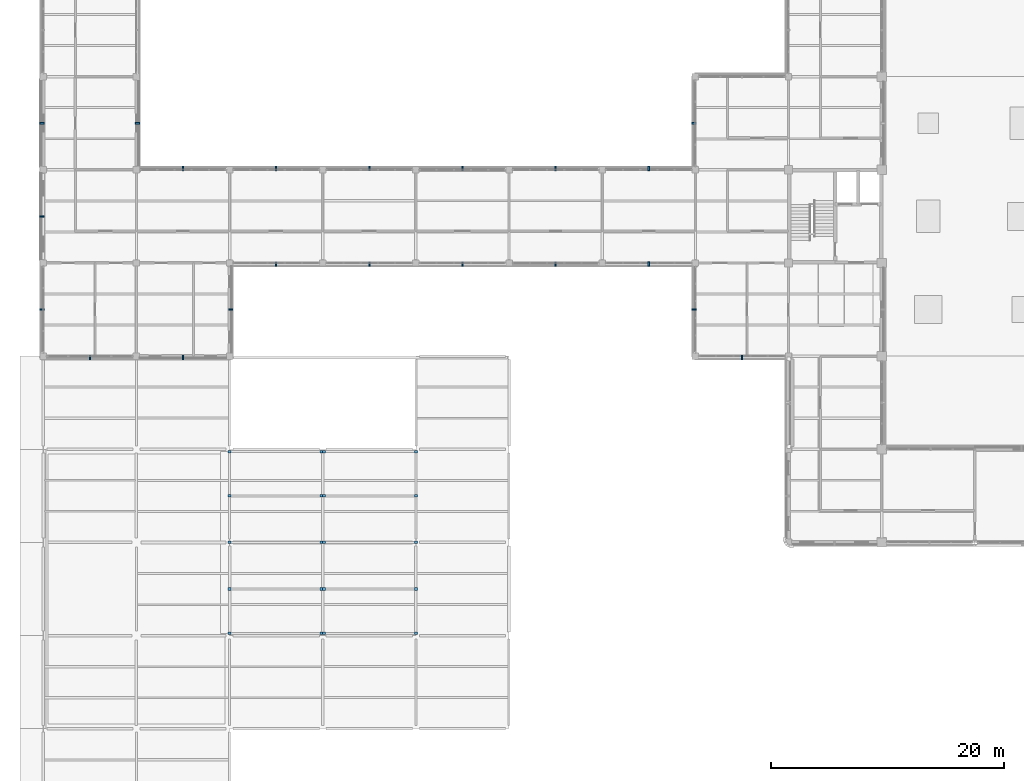
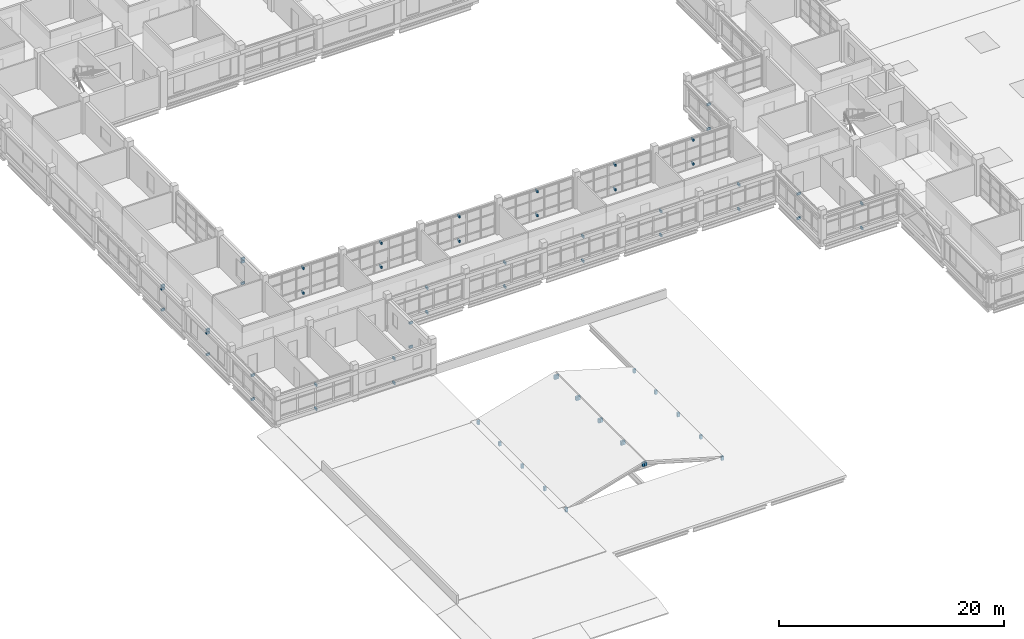
# One storey, part 90 of 107: 65 discrete accessories.
"""IFC4 building model written with IfcOpenShell, lengths in metres."""

from ifc_helpers import new_model, si_unit, derived_unit, direction, frame, origin, origin_2d, place, context, subcontext, project, spatial, rectangle, extrude, material, type_object, element, save


model = new_model("IFC4")

# Units and contexts
model_context = context("Model", 3, precision=1e-05, world=origin(), true_north=direction((0.0, 1.0)))
body_context = subcontext(model_context, "Body", "Model", "MODEL_VIEW")
ifc_project = project(units=[si_unit("LENGTHUNIT", "METRE"), si_unit("AREAUNIT", "SQUARE_METRE"), si_unit("VOLUMEUNIT", "CUBIC_METRE"), si_unit("PLANEANGLEUNIT", "RADIAN"), si_unit("MASSUNIT", "GRAM", prefix="KILO"), derived_unit("THERMALTRANSMITTANCEUNIT", [(si_unit("MASSUNIT", "GRAM", prefix="KILO"), 1), (si_unit("TIMEUNIT", "SECOND"), -3), (si_unit("THERMODYNAMICTEMPERATUREUNIT", "KELVIN"), -1)])], contexts=[model_context])

# Site, building, storey
site_placement = place(None, origin())
site = spatial("IfcSite", under=ifc_project, at=site_placement, CompositionType="ELEMENT")
building_placement = place(site_placement, origin())
building = spatial("IfcBuilding", under=site, at=building_placement, Name="Veyamyaing Civic Hall", CompositionType="ELEMENT")
storey_placement = place(building_placement, frame((0.0, 0.0, 13.860107421875)))
storey = spatial("IfcBuildingStorey", under=building, at=storey_placement, Name="L03", CompositionType="ELEMENT", Elevation=13.860107421875)

# Discrete accessories
ifc_material = material(Name="Steel S355J2", Category="steel")
discrete_accessory_type_1 = type_object("IfcDiscreteAccessoryType", Name="BK-01", PredefinedType="BRACKET", material=ifc_material)
for number, where, z_axis, x_axis, name in (
    (1, (4.0, 39.89990234375, 2.9599609375), (0.0, 0.0, 1.0), (0.0, -1.0, 0.0), "Sunshade anchor bracket BK-01 L03 S 1.6"),
    (2, (4.0, 39.89990234375, 0.35986328125), (0.0, 0.0, 1.0), (0.0, -1.0, 0.0), "Lower ribbon anchor bracket BK-01 L03 S 1.6"),
    (3, (-0.10009765625, 44.0, 2.9599609375), (0.0, 0.0, 1.0), (-1.0, 0.0, 0.0), "Sunshade anchor bracket BK-01 L03 W 1.6"),
    (4, (-0.10009765625, 44.0, 0.35986328125), (0.0, 0.0, 1.0), (-1.0, 0.0, 0.0), "Lower ribbon anchor bracket BK-01 L03 W 1.6"),
    (5, (-0.10009765625, 52.0, 3.02392578125), (0.0, 0.0, 1.0), (-1.0, 0.0, 0.0), "Sunshade anchor bracket BK-01 L03 W 1.7"),
    (6, (-0.10009765625, 52.0, 0.35986328125), (0.0, 0.0, 1.0), (-1.0, 0.0, 0.0), "Lower ribbon anchor bracket BK-01 L03 W 1.7"),
    (7, (-0.10009765625, 52.0, 2.69384765625), (0.0, 0.0, 1.0), (-1.0, 0.0, 0.0), "Louvre anchor bracket BK-01 L03 W 1.7"),
    (8, (-0.10009765625, 60.0, 2.9638671875), (0.0, 0.0, 1.0), (-1.0, 0.0, 0.0), "Sunshade anchor bracket BK-01 L03 W 1.8"),
    (9, (-0.10009765625, 60.0, 0.35986328125), (0.0, 0.0, 1.0), (-1.0, 0.0, 0.0), "Lower ribbon anchor bracket BK-01 L03 W 1.8"),
    (10, (-0.10009765625, 60.0, 2.6337890625), (0.0, 0.0, 1.0), (-1.0, 0.0, 0.0), "Louvre anchor bracket BK-01 L03 W 1.8"),
    (11, (8.10009765625, 60.0, 3.02685546875), (0.0, 0.0, 1.0), (1.0, 0.0, 0.0), "Sunshade anchor bracket BK-01 L03 E 1.8"),
    (12, (8.10009765625, 60.0, 0.35986328125), (0.0, 0.0, 1.0), (1.0, 0.0, 0.0), "Lower ribbon anchor bracket BK-01 L03 E 1.8"),
    (13, (8.10009765625, 60.0, 2.69677734375), (0.0, 0.0, 1.0), (1.0, 0.0, 0.0), "Louvre anchor bracket BK-01 L03 E 1.8"),
    (14, (12.0, 39.89990234375, 3.02392578125), (0.0, 0.0, 1.0), (0.0, -1.0, 0.0), "Sunshade anchor bracket BK-01 L03 S 2.6"),
    (15, (12.0, 39.89990234375, 0.35986328125), (0.0, 0.0, 1.0), (0.0, -1.0, 0.0), "Lower ribbon anchor bracket BK-01 L03 S 2.6"),
    (16, (16.10009765625, 44.0, 2.9638671875), (0.0, 0.0, 1.0), (1.0, 0.0, 0.0), "Sunshade anchor bracket BK-01 L03 E 2.6"),
    (17, (16.10009765625, 44.0, 0.35986328125), (0.0, 0.0, 1.0), (1.0, 0.0, 0.0), "Lower ribbon anchor bracket BK-01 L03 E 2.6"),
    (18, (12.0, 56.10009765625, 3.02685546875), (0.0, 0.0, 1.0), (0.0, 1.0, 0.0), "Sunshade anchor bracket BK-01 L03 N 2.7"),
    (19, (12.0, 56.10009765625, 0.35986328125), (0.0, 0.0, 1.0), (0.0, 1.0, 0.0), "Lower ribbon anchor bracket BK-01 L03 N 2.7"),
    (20, (20.0, 47.89990234375, 3.02685546875), (0.0, 0.0, 1.0), (0.0, -1.0, 0.0), "Sunshade anchor bracket BK-01 L03 S 3.7"),
    (21, (20.0, 47.89990234375, 0.35986328125), (0.0, 0.0, 1.0), (0.0, -1.0, 0.0), "Lower ribbon anchor bracket BK-01 L03 S 3.7"),
    (22, (20.0, 56.10009765625, 2.9599609375), (0.0, 0.0, 1.0), (0.0, 1.0, 0.0), "Sunshade anchor bracket BK-01 L03 N 3.7"),
    (23, (20.0, 56.10009765625, 0.35986328125), (0.0, 0.0, 1.0), (0.0, 1.0, 0.0), "Lower ribbon anchor bracket BK-01 L03 N 3.7"),
    (24, (28.0, 47.89990234375, 2.9599609375), (0.0, 0.0, 1.0), (0.0, -1.0, 0.0), "Sunshade anchor bracket BK-01 L03 S 4.7"),
    (25, (28.0, 47.89990234375, 0.35986328125), (0.0, 0.0, 1.0), (0.0, -1.0, 0.0), "Lower ribbon anchor bracket BK-01 L03 S 4.7"),
    (26, (28.0, 56.10009765625, 3.02392578125), (0.0, 0.0, 1.0), (0.0, 1.0, 0.0), "Sunshade anchor bracket BK-01 L03 N 4.7"),
    (27, (28.0, 56.10009765625, 0.35986328125), (0.0, 0.0, 1.0), (0.0, 1.0, 0.0), "Lower ribbon anchor bracket BK-01 L03 N 4.7"),
    (28, (36.0, 47.89990234375, 3.02392578125), (0.0, 0.0, 1.0), (0.0, -1.0, 0.0), "Sunshade anchor bracket BK-01 L03 S 5.7"),
    (29, (36.0, 47.89990234375, 0.35986328125), (0.0, 0.0, 1.0), (0.0, -1.0, 0.0), "Lower ribbon anchor bracket BK-01 L03 S 5.7"),
    (30, (36.0, 56.10009765625, 2.9638671875), (0.0, 0.0, 1.0), (0.0, 1.0, 0.0), "Sunshade anchor bracket BK-01 L03 N 5.7"),
    (31, (36.0, 56.10009765625, 0.35986328125), (0.0, 0.0, 1.0), (0.0, 1.0, 0.0), "Lower ribbon anchor bracket BK-01 L03 N 5.7"),
    (32, (44.0, 47.89990234375, 2.9638671875), (0.0, 0.0, 1.0), (0.0, -1.0, 0.0), "Sunshade anchor bracket BK-01 L03 S 6.7"),
    (33, (44.0, 47.89990234375, 0.35986328125), (0.0, 0.0, 1.0), (0.0, -1.0, 0.0), "Lower ribbon anchor bracket BK-01 L03 S 6.7"),
    (34, (44.0, 56.10009765625, 3.02685546875), (0.0, 0.0, 1.0), (0.0, 1.0, 0.0), "Sunshade anchor bracket BK-01 L03 N 6.7"),
    (35, (44.0, 56.10009765625, 0.35986328125), (0.0, 0.0, 1.0), (0.0, 1.0, 0.0), "Lower ribbon anchor bracket BK-01 L03 N 6.7"),
    (36, (52.0, 47.89990234375, 3.02685546875), (0.0, 0.0, 1.0), (0.0, -1.0, 0.0), "Sunshade anchor bracket BK-01 L03 S 7.7"),
    (37, (52.0, 47.89990234375, 0.35986328125), (0.0, 0.0, 1.0), (0.0, -1.0, 0.0), "Lower ribbon anchor bracket BK-01 L03 S 7.7"),
    (38, (52.0, 56.10009765625, 2.9599609375), (0.0, 0.0, 1.0), (0.0, 1.0, 0.0), "Sunshade anchor bracket BK-01 L03 N 7.7"),
    (39, (52.0, 56.10009765625, 0.35986328125), (0.0, 0.0, 1.0), (0.0, 1.0, 0.0), "Lower ribbon anchor bracket BK-01 L03 N 7.7"),
    (40, (60.0, 39.89990234375, 3.02685546875), (0.0, 0.0, 1.0), (0.0, -1.0, 0.0), "Sunshade anchor bracket BK-01 L03 S 8.6"),
    (41, (60.0, 39.89990234375, 0.35986328125), (0.0, 0.0, 1.0), (0.0, -1.0, 0.0), "Lower ribbon anchor bracket BK-01 L03 S 8.6"),
    (42, (55.89990234375, 44.0, 3.02685546875), (0.0, 0.0, 1.0), (-1.0, 0.0, 0.0), "Sunshade anchor bracket BK-01 L03 W 8.6"),
    (43, (55.89990234375, 44.0, 0.35986328125), (0.0, 0.0, 1.0), (-1.0, 0.0, 0.0), "Lower ribbon anchor bracket BK-01 L03 W 8.6"),
    (44, (55.89990234375, 60.0, 3.02392578125), (0.0, 0.0, 1.0), (-1.0, 0.0, 0.0), "Sunshade anchor bracket BK-01 L03 W 8.8"),
    (45, (55.89990234375, 60.0, 0.35986328125), (0.0, 0.0, 1.0), (-1.0, 0.0, 0.0), "Lower ribbon anchor bracket BK-01 L03 W 8.8"),
):
    element("IfcDiscreteAccessory", number, at=place(storey_placement, frame(where, z_axis=z_axis, x_axis=x_axis)), inside=storey, type_object=discrete_accessory_type_1, Name=name, PredefinedType="BRACKET", context=body_context, shape_type="SweptSolid", body=[
        extrude(rectangle(XDim=0.3798828125, YDim=0.139892578125, at=origin_2d()), origin(), (0.0, 0.0, 1.0), 0.239990234375),
    ])
discrete_accessory_type_2 = type_object("IfcDiscreteAccessoryType", Name="BK-02", PredefinedType="BRACKET", material=ifc_material)
for number, where, z_axis, x_axis, name in (
    (46, (16.0, 16.199951171875, -0.510009765625), (0.0, 0.0, 1.0), (1.0, 0.0, 0.0), "Lantern rafter eave end-plate bracket BK-02 W.1.0"),
    (47, (23.89990234375, 16.199951171875, 1.64990234375), (0.0, 0.0, 1.0), (1.0, 0.0, 0.0), "Lantern rafter ridge end-plate bracket BK-02 W.1.1"),
    (48, (32.0, 16.199951171875, -0.510009765625), (0.0, 0.0, 1.0), (1.0, 0.0, 0.0), "Lantern rafter eave end-plate bracket BK-02 E.1.0"),
    (49, (24.10009765625, 16.199951171875, 1.64990234375), (0.0, 0.0, 1.0), (1.0, 0.0, 0.0), "Lantern rafter ridge end-plate bracket BK-02 E.1.1"),
    (50, (16.0, 20.0, -0.510009765625), (0.0, 0.0, 1.0), (1.0, 0.0, 0.0), "Lantern rafter eave end-plate bracket BK-02 W.2.0"),
    (51, (23.89990234375, 20.0, 1.64990234375), (0.0, 0.0, 1.0), (1.0, 0.0, 0.0), "Lantern rafter ridge end-plate bracket BK-02 W.2.1"),
    (52, (32.0, 20.0, -0.510009765625), (0.0, 0.0, 1.0), (1.0, 0.0, 0.0), "Lantern rafter eave end-plate bracket BK-02 E.2.0"),
    (53, (24.10009765625, 20.0, 1.64990234375), (0.0, 0.0, 1.0), (1.0, 0.0, 0.0), "Lantern rafter ridge end-plate bracket BK-02 E.2.1"),
    (54, (16.0, 24.0, -0.510009765625), (0.0, 0.0, 1.0), (1.0, 0.0, 0.0), "Lantern rafter eave end-plate bracket BK-02 W.3.0"),
    (55, (23.89990234375, 24.0, 1.64990234375), (0.0, 0.0, 1.0), (1.0, 0.0, 0.0), "Lantern rafter ridge end-plate bracket BK-02 W.3.1"),
    (56, (32.0, 24.0, -0.510009765625), (0.0, 0.0, 1.0), (1.0, 0.0, 0.0), "Lantern rafter eave end-plate bracket BK-02 E.3.0"),
    (57, (24.10009765625, 24.0, 1.64990234375), (0.0, 0.0, 1.0), (1.0, 0.0, 0.0), "Lantern rafter ridge end-plate bracket BK-02 E.3.1"),
    (58, (16.0, 28.0, -0.510009765625), (0.0, 0.0, 1.0), (1.0, 0.0, 0.0), "Lantern rafter eave end-plate bracket BK-02 W.4.0"),
    (59, (23.89990234375, 28.0, 1.64990234375), (0.0, 0.0, 1.0), (1.0, 0.0, 0.0), "Lantern rafter ridge end-plate bracket BK-02 W.4.1"),
    (60, (32.0, 28.0, -0.510009765625), (0.0, 0.0, 1.0), (1.0, 0.0, 0.0), "Lantern rafter eave end-plate bracket BK-02 E.4.0"),
    (61, (24.10009765625, 28.0, 1.64990234375), (0.0, 0.0, 1.0), (1.0, 0.0, 0.0), "Lantern rafter ridge end-plate bracket BK-02 E.4.1"),
    (62, (16.0, 31.800048828125, -0.510009765625), (0.0, 0.0, 1.0), (1.0, 0.0, 0.0), "Lantern rafter eave end-plate bracket BK-02 W.5.0"),
    (63, (23.89990234375, 31.800048828125, 1.64990234375), (0.0, 0.0, 1.0), (1.0, 0.0, 0.0), "Lantern rafter ridge end-plate bracket BK-02 W.5.1"),
    (64, (32.0, 31.800048828125, -0.510009765625), (0.0, 0.0, 1.0), (1.0, 0.0, 0.0), "Lantern rafter eave end-plate bracket BK-02 E.5.0"),
    (65, (24.10009765625, 31.800048828125, 1.64990234375), (0.0, 0.0, 1.0), (1.0, 0.0, 0.0), "Lantern rafter ridge end-plate bracket BK-02 E.5.1"),
):
    element("IfcDiscreteAccessory", number, at=place(storey_placement, frame(where, z_axis=z_axis, x_axis=x_axis)), inside=storey, type_object=discrete_accessory_type_2, Name=name, PredefinedType="BRACKET", context=body_context, shape_type="SweptSolid", body=[
        extrude(rectangle(XDim=0.239990234375, YDim=0.219970703125, at=origin_2d()), origin(), (0.0, 0.0, 1.0), 0.419921875),
    ])

save(model, "model.ifc")
